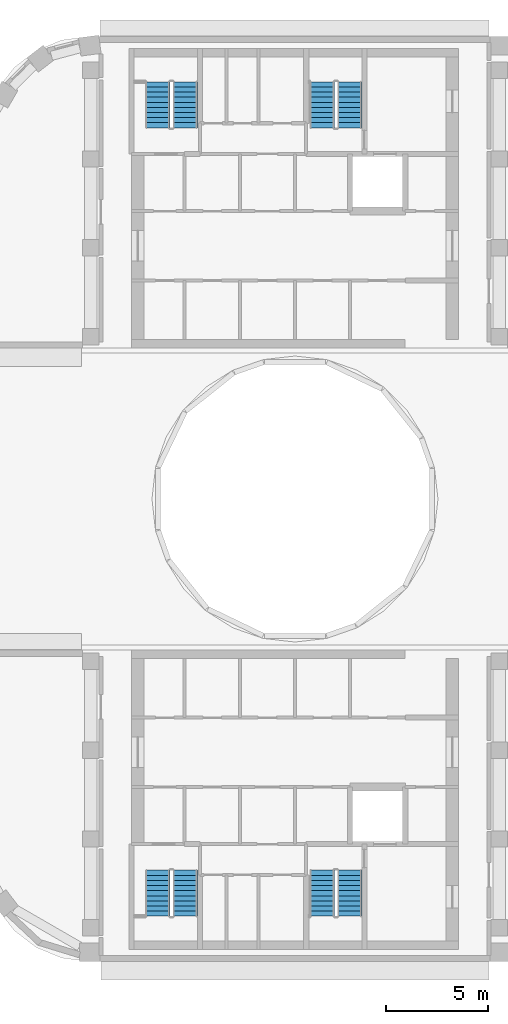
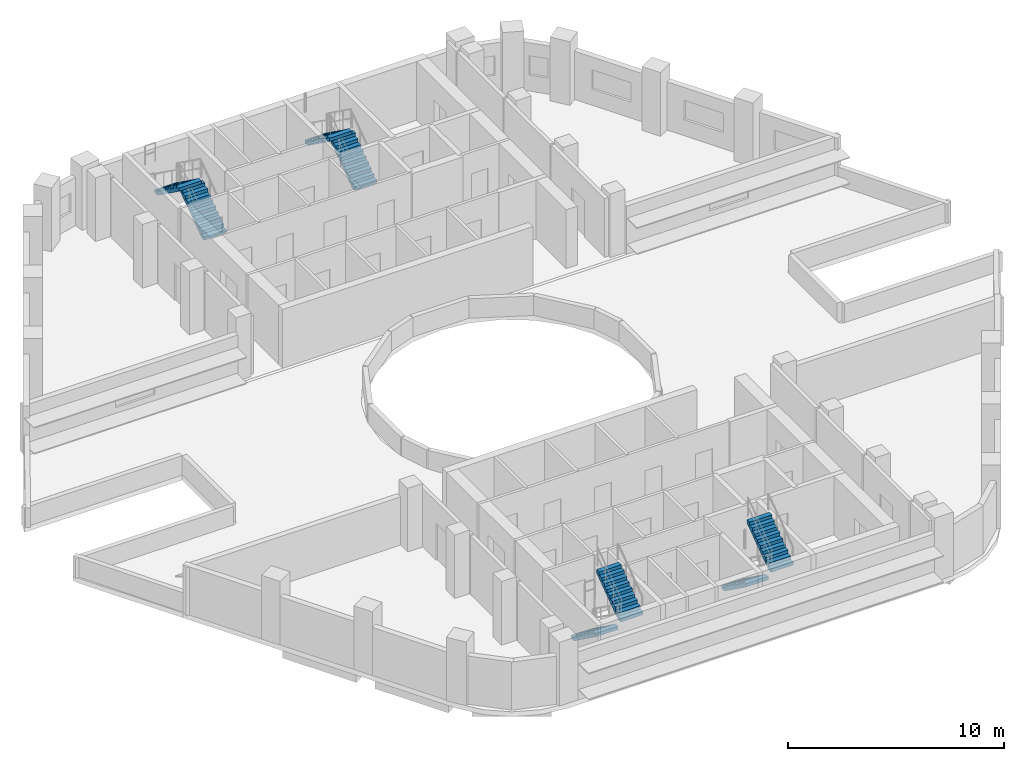
# One storey, part 6 of 9: 8 stair flights, 4 elements without a shape of their own.
"""IFC4 building model written with IfcOpenShell, lengths in metres."""

import ifcopenshell
import ifcopenshell.guid

model = None  # the IFC model being written
_history = None  # IfcOwnerHistory: only IFC2X3 demands one
_inside = {}  # id of a spatial element -> (the spatial element, [elements in it])
_under = {}  # id of a project, library or spatial element -> (it, [spatial elements below it])
_declared = {}  # id of a project -> (the project, [libraries it declares])
_typed = {}  # id of a type object -> (the type object, [elements of that type])
_made_of = {}  # id of a material, layer set ... -> (it, [elements and type objects made of it])


def new_model(schema):
    """Start an empty IFC model of exactly this schema.

    Asked for "IFC4X3", IfcOpenShell would pick the latest addendum, in which some entities
    have other attributes; the version numbers below select the first issue.
    IFC2X3 requires an IfcOwnerHistory on every rooted entity: one is made here for all.
    """
    global model, _history
    if schema == "IFC4X3":
        model = ifcopenshell.file(schema_version=(4, 3, 0, 0))
    else:
        model = ifcopenshell.file(schema=schema)
    _inside.clear()
    _under.clear()
    _declared.clear()
    _typed.clear()
    _made_of.clear()
    _history = None
    if model.schema == "IFC2X3":
        org = make("IfcOrganization", Name="unknown")
        user = make(
            "IfcPersonAndOrganization",
            ThePerson=make("IfcPerson", FamilyName="unknown"),
            TheOrganization=org,
        )
        app = make(
            "IfcApplication",
            ApplicationDeveloper=org,
            Version="unknown",
            ApplicationFullName="unknown",
            ApplicationIdentifier="unknown",
        )
        _history = make(
            "IfcOwnerHistory",
            OwningUser=user,
            OwningApplication=app,
            ChangeAction="ADDED",
            CreationDate=0,
        )
    return model


def make(cls, **values):
    """One entity of the class cls with the attributes given. An attribute that is None is left unset."""
    return model.create_entity(
        cls, **{name: value for name, value in values.items() if value is not None}
    )


def rooted(cls, **values):
    """An entity with a GlobalId (a new one), such as an element, a storey or a relation."""
    return make(cls, GlobalId=ifcopenshell.guid.new(), OwnerHistory=_history, **values)


def si_unit(unit_type, name, prefix=None):
    """IfcSIUnit, for example si_unit("LENGTHUNIT", "METRE", prefix="MILLI")."""
    return make("IfcSIUnit", UnitType=unit_type, Prefix=prefix, Name=name)


def assignment(units):
    """IfcUnitAssignment: the units of a project."""
    return None if units is None else make("IfcUnitAssignment", Units=units)


def point(xyz):
    """IfcCartesianPoint."""
    return None if xyz is None else make("IfcCartesianPoint", Coordinates=xyz)


def direction(xyz):
    """IfcDirection."""
    return None if xyz is None else make("IfcDirection", DirectionRatios=xyz)


def frame(location, z_axis=None, x_axis=None):
    """IfcAxis2Placement3D, a coordinate frame: its origin and axes. An axis left out is left unset."""
    return make(
        "IfcAxis2Placement3D",
        Location=point(location),
        Axis=direction(z_axis),
        RefDirection=direction(x_axis),
    )


def origin():
    """The frame at (0, 0, 0) with its axes left unset."""
    return frame((0.0, 0.0, 0.0))


def place(relative_to, where):
    """IfcLocalPlacement: puts the frame where relative to a parent placement (None: the world)."""
    return make(
        "IfcLocalPlacement", PlacementRelTo=relative_to, RelativePlacement=where
    )


def context(
    kind, dimensions, precision=None, world=None, true_north=None, identifier=None
):
    """IfcGeometricRepresentationContext, for example the 3D "Model" context."""
    return make(
        "IfcGeometricRepresentationContext",
        ContextIdentifier=identifier,
        ContextType=kind,
        CoordinateSpaceDimension=dimensions,
        Precision=precision,
        WorldCoordinateSystem=world,
        TrueNorth=true_north,
    )


def subcontext(parent, identifier, kind, view, scale=None):
    """IfcGeometricRepresentationSubContext, for example "Body" below "Model"."""
    return make(
        "IfcGeometricRepresentationSubContext",
        ContextIdentifier=identifier,
        ContextType=kind,
        ParentContext=parent,
        TargetScale=scale,
        TargetView=view,
    )


def project(units=None, contexts=None):
    """IfcProject with its units and contexts."""
    return rooted(
        "IfcProject",
        Name="project",
        RepresentationContexts=contexts,
        UnitsInContext=assignment(units),
    )


def spatial(cls, under=None, at=None, **own):
    """A site, building, storey or space (cls), placed at a placement, below another one or the project."""
    s = rooted(cls, ObjectPlacement=at, **own)
    if under is not None:
        _under.setdefault(under.id(), (under, []))[1].append(s)
    return s


def polyline(points):
    """IfcPolyline through the points."""
    return make("IfcPolyline", Points=[point(p) for p in points])


def outline(outer, holes=None, kind="AREA"):
    """IfcArbitraryClosedProfileDef: a profile drawn as a closed curve; with holes, ...WithVoids."""
    if holes is None:
        return make("IfcArbitraryClosedProfileDef", ProfileType=kind, OuterCurve=outer)
    return make(
        "IfcArbitraryProfileDefWithVoids",
        ProfileType=kind,
        OuterCurve=outer,
        InnerCurves=holes,
    )


def extrude(swept, where, along, depth):
    """IfcExtrudedAreaSolid: the profile swept, set in the frame where, extruded along a direction by depth."""
    return make(
        "IfcExtrudedAreaSolid",
        SweptArea=swept,
        Position=where,
        ExtrudedDirection=direction(along),
        Depth=depth,
    )


def shape(context_of_items, identifier, shape_type, items):
    """IfcShapeRepresentation: the items that make up one representation, for example the "Body"."""
    return make(
        "IfcShapeRepresentation",
        ContextOfItems=context_of_items,
        RepresentationIdentifier=identifier,
        RepresentationType=shape_type,
        Items=items,
    )


def material(Name=None, Category=None):
    """IfcMaterial."""
    return make("IfcMaterial", Name=Name, Category=Category)


def made_of(thing, what):
    """Note that an element or type object is made of a material, layer set ...; save() writes the relation."""
    if what is not None:
        _made_of.setdefault(what.id(), (what, []))[1].append(thing)
    return thing


def type_object(cls, material=None, **own):
    """A type object (cls), such as IfcWallType, which elements share."""
    return made_of(rooted(cls, **own), material)


def element(
    cls,
    number,
    at=None,
    inside=None,
    cuts=None,
    type_object=None,
    material=None,
    context=None,
    identifier="Body",
    shape_type=None,
    held_by="IfcProductDefinitionShape",
    body=None,
    shapes=None,
    **own,
):
    """One element of the class cls, such as IfcWall. Its Tag is "e" and its number.

    at: its placement. inside: the storey or other place that contains it. cuts: it is an
    opening in that element (IfcRelVoidsElement). A single representation is given by context,
    identifier, shape_type and body (its items); several are given by shapes. held_by: the class
    of the entity that holds the representations. save() writes the other relations.
    """
    e = rooted(cls, Tag="e%d" % number, ObjectPlacement=at, **own)
    if body is not None:
        shapes = [shape(context, identifier, shape_type, body)]
    if shapes is not None:
        e.Representation = make(held_by, Representations=shapes)
    if inside is not None:
        _inside.setdefault(inside.id(), (inside, []))[1].append(e)
    if cuts is not None:
        rooted(
            "IfcRelVoidsElement", RelatingBuildingElement=cuts, RelatedOpeningElement=e
        )
    if type_object is not None:
        _typed.setdefault(type_object.id(), (type_object, []))[1].append(e)
    return made_of(e, material)


def aggregate(whole, parts):
    """IfcRelAggregates: a whole, such as a stair, and the parts it consists of."""
    return rooted("IfcRelAggregates", RelatingObject=whole, RelatedObjects=parts)


def save(model, path):
    """Write the relations noted so far, then the file.

    IfcRelAggregates (storeys below a building ...), IfcRelContainedInSpatialStructure (elements
    in a storey), IfcRelDefinesByType, IfcRelAssociatesMaterial and IfcRelDeclares: one each for
    every whole, place, type object, material and project.
    """
    for whole, parts in _under.values():
        aggregate(whole, parts)
    for where, things in _inside.values():
        rooted(
            "IfcRelContainedInSpatialStructure",
            RelatedElements=things,
            RelatingStructure=where,
        )
    for kind, things in _typed.values():
        rooted("IfcRelDefinesByType", RelatedObjects=things, RelatingType=kind)
    for what, things in _made_of.values():
        rooted("IfcRelAssociatesMaterial", RelatedObjects=things, RelatingMaterial=what)
    for by, libraries in _declared.values():
        rooted("IfcRelDeclares", RelatingContext=by, RelatedDefinitions=libraries)
    model.write(path)


model = new_model("IFC4")

# Units and contexts
model_context = context("Model", 3, precision=1e-05, world=origin(), true_north=direction((0.0, 1.0)))
body_context = subcontext(model_context, "Body", "Model", "MODEL_VIEW")
ifc_project = project(units=[si_unit("LENGTHUNIT", "METRE"), si_unit("AREAUNIT", "SQUARE_METRE"), si_unit("VOLUMEUNIT", "CUBIC_METRE"), si_unit("PLANEANGLEUNIT", "RADIAN"), si_unit("MASSUNIT", "GRAM", prefix="KILO")], contexts=[model_context])

# Site, building, storey
site_placement = place(None, origin())
site = spatial("IfcSite", under=ifc_project, at=site_placement, CompositionType="ELEMENT")
building_placement = place(site_placement, origin())
building = spatial("IfcBuilding", under=site, at=building_placement, Name="Nakaniwa Court", CompositionType="ELEMENT")
storey_placement = place(building_placement, frame((0.0, 0.0, 276.0)))
storey = spatial("IfcBuildingStorey", under=building, at=storey_placement, Name="C02", CompositionType="ELEMENT", Elevation=276.0)

# Stair, stair flights
ifc_material = material(Name="Concrete C80/100", Category="concrete")
stair_type = type_object("IfcStairType", Name="Dog leg stair 1200 wide 20 risers", PredefinedType="HALF_TURN_STAIR", material=ifc_material)
stair_1_placement = place(storey_placement, origin())
stair_1 = element("IfcStair", 1, at=stair_1_placement, inside=storey, type_object=stair_type, Name="C02 Stair ST1", PredefinedType="HALF_TURN_STAIR")
stair_flight_type = type_object("IfcStairFlightType", Name="Stair flight 1200 wide 10 risers", PredefinedType="STRAIGHT", material=ifc_material)
stair_flight_1_placement = place(storey_placement, frame((74.625, 98.175048828125, 0.0), z_axis=(0.0, 0.0, 1.0), x_axis=(0.0, 1.0, 0.0)))
stair_flight_1 = element("IfcStairFlight", 2, at=stair_flight_1_placement, type_object=stair_flight_type, Name="ST1 flight 1", NumberOfRisers=10, NumberOfTreads=9, PredefinedType="STRAIGHT", RiserHeight=0.18, TreadLength=0.25, context=body_context, shape_type="SweptSolid", body=[
    extrude(outline(polyline([(0.0, 0.0), (0.0, 0.025634765625), (0.0, 0.051513671875), (0.0, 0.0771484375), (0.0, 0.102783203125), (0.0, 0.128662109375), (0.0, 0.154296875), (0.0, 0.179931640625), (0.25, 0.179931640625), (0.25, 0.360107421875), (0.5, 0.360107421875), (0.5, 0.5400390625), (0.75, 0.5400390625), (0.75, 0.719970703125), (1.0, 0.719970703125), (1.0, 0.89990234375), (1.25, 0.89990234375), (1.25, 1.080078125), (1.5, 1.080078125), (1.5, 1.260009765625), (1.75, 1.260009765625), (1.75, 1.43994140625), (2.0, 1.43994140625), (2.0, 1.6201171875), (2.25, 1.6201171875), (2.25, 1.800048828125), (2.25, 1.747802734375), (2.25, 1.69580078125), (2.25, 1.643798828125), (2.25, 1.591552734375), (2.25, 1.53955078125), (2.25, 1.4873046875), (2.25, 1.435302734375), (0.256591796875, 0.0), (0.0, 0.0)])), frame((0.0, 0.60009765625, 0.0), z_axis=(0.0, -1.0, 0.0), x_axis=(1.0, 0.0, 0.0)), (0.0, 0.0, 1.0), 1.199951171875),
])
stair_flight_2_placement = place(storey_placement, frame((73.27490234375, 100.425048828125, 1.800048828125), z_axis=(0.0, 0.0, 1.0), x_axis=(0.0, -1.0, 0.0)))
stair_flight_2 = element("IfcStairFlight", 3, at=stair_flight_2_placement, type_object=stair_flight_type, Name="ST1 flight 2", NumberOfRisers=10, NumberOfTreads=9, PredefinedType="STRAIGHT", RiserHeight=0.18, TreadLength=0.25, context=body_context, shape_type="SweptSolid", body=[
    extrude(outline(polyline([(0.0, 0.0), (0.0, 0.025634765625), (0.0, 0.051513671875), (0.0, 0.0771484375), (0.0, 0.102783203125), (0.0, 0.128662109375), (0.0, 0.154296875), (0.0, 0.179931640625), (0.25, 0.179931640625), (0.25, 0.360107421875), (0.5, 0.360107421875), (0.5, 0.5400390625), (0.75, 0.5400390625), (0.75, 0.719970703125), (1.0, 0.719970703125), (1.0, 0.89990234375), (1.25, 0.89990234375), (1.25, 1.080078125), (1.5, 1.080078125), (1.5, 1.260009765625), (1.75, 1.260009765625), (1.75, 1.43994140625), (2.0, 1.43994140625), (2.0, 1.6201171875), (2.25, 1.6201171875), (2.25, 1.800048828125), (2.25, 1.747802734375), (2.25, 1.69580078125), (2.25, 1.643798828125), (2.25, 1.591552734375), (2.25, 1.53955078125), (2.25, 1.4873046875), (2.25, 1.435302734375), (0.256591796875, 0.0), (0.0, 0.0)])), frame((0.0, 0.60009765625, 0.0), z_axis=(0.0, -1.0, 0.0), x_axis=(1.0, 0.0, 0.0)), (0.0, 0.0, 1.0), 1.199951171875),
])
aggregate(stair_1, [stair_flight_1, stair_flight_2])

stair_2_placement = place(storey_placement, origin())
stair_2 = element("IfcStair", 4, at=stair_2_placement, inside=storey, type_object=stair_type, Name="C02 Stair ST2", PredefinedType="HALF_TURN_STAIR")
stair_flight_3_placement = place(storey_placement, frame((82.675048828125, 98.175048828125, 0.0), z_axis=(0.0, 0.0, 1.0), x_axis=(0.0, 1.0, 0.0)))
stair_flight_3 = element("IfcStairFlight", 5, at=stair_flight_3_placement, type_object=stair_flight_type, Name="ST2 flight 1", NumberOfRisers=10, NumberOfTreads=9, PredefinedType="STRAIGHT", RiserHeight=0.18, TreadLength=0.25, context=body_context, shape_type="SweptSolid", body=[
    extrude(outline(polyline([(0.0, 0.0), (0.0, 0.025634765625), (0.0, 0.051513671875), (0.0, 0.0771484375), (0.0, 0.102783203125), (0.0, 0.128662109375), (0.0, 0.154296875), (0.0, 0.179931640625), (0.25, 0.179931640625), (0.25, 0.360107421875), (0.5, 0.360107421875), (0.5, 0.5400390625), (0.75, 0.5400390625), (0.75, 0.719970703125), (1.0, 0.719970703125), (1.0, 0.89990234375), (1.25, 0.89990234375), (1.25, 1.080078125), (1.5, 1.080078125), (1.5, 1.260009765625), (1.75, 1.260009765625), (1.75, 1.43994140625), (2.0, 1.43994140625), (2.0, 1.6201171875), (2.25, 1.6201171875), (2.25, 1.800048828125), (2.25, 1.747802734375), (2.25, 1.69580078125), (2.25, 1.643798828125), (2.25, 1.591552734375), (2.25, 1.53955078125), (2.25, 1.4873046875), (2.25, 1.435302734375), (0.256591796875, 0.0), (0.0, 0.0)])), frame((0.0, 0.60009765625, 0.0), z_axis=(0.0, -1.0, 0.0), x_axis=(1.0, 0.0, 0.0)), (0.0, 0.0, 1.0), 1.199951171875),
])
stair_flight_4_placement = place(storey_placement, frame((81.324951171875, 100.425048828125, 1.800048828125), z_axis=(0.0, 0.0, 1.0), x_axis=(0.0, -1.0, 0.0)))
stair_flight_4 = element("IfcStairFlight", 6, at=stair_flight_4_placement, type_object=stair_flight_type, Name="ST2 flight 2", NumberOfRisers=10, NumberOfTreads=9, PredefinedType="STRAIGHT", RiserHeight=0.18, TreadLength=0.25, context=body_context, shape_type="SweptSolid", body=[
    extrude(outline(polyline([(0.0, 0.0), (0.0, 0.025634765625), (0.0, 0.051513671875), (0.0, 0.0771484375), (0.0, 0.102783203125), (0.0, 0.128662109375), (0.0, 0.154296875), (0.0, 0.179931640625), (0.25, 0.179931640625), (0.25, 0.360107421875), (0.5, 0.360107421875), (0.5, 0.5400390625), (0.75, 0.5400390625), (0.75, 0.719970703125), (1.0, 0.719970703125), (1.0, 0.89990234375), (1.25, 0.89990234375), (1.25, 1.080078125), (1.5, 1.080078125), (1.5, 1.260009765625), (1.75, 1.260009765625), (1.75, 1.43994140625), (2.0, 1.43994140625), (2.0, 1.6201171875), (2.25, 1.6201171875), (2.25, 1.800048828125), (2.25, 1.747802734375), (2.25, 1.69580078125), (2.25, 1.643798828125), (2.25, 1.591552734375), (2.25, 1.53955078125), (2.25, 1.4873046875), (2.25, 1.435302734375), (0.256591796875, 0.0), (0.0, 0.0)])), frame((0.0, 0.60009765625, 0.0), z_axis=(0.0, -1.0, 0.0), x_axis=(1.0, 0.0, 0.0)), (0.0, 0.0, 1.0), 1.199951171875),
])
aggregate(stair_2, [stair_flight_3, stair_flight_4])

stair_3_placement = place(storey_placement, origin())
stair_3 = element("IfcStair", 7, at=stair_3_placement, inside=storey, type_object=stair_type, Name="C02 Stair ST3", PredefinedType="HALF_TURN_STAIR")
stair_flight_5_placement = place(storey_placement, frame((73.27490234375, 61.824951171875, 0.0), z_axis=(0.0, 0.0, 1.0), x_axis=(0.0, -1.0, 0.0)))
stair_flight_5 = element("IfcStairFlight", 8, at=stair_flight_5_placement, type_object=stair_flight_type, Name="ST3 flight 1", NumberOfRisers=10, NumberOfTreads=9, PredefinedType="STRAIGHT", RiserHeight=0.18, TreadLength=0.25, context=body_context, shape_type="SweptSolid", body=[
    extrude(outline(polyline([(0.0, 0.0), (0.0, 0.025634765625), (0.0, 0.051513671875), (0.0, 0.0771484375), (0.0, 0.102783203125), (0.0, 0.128662109375), (0.0, 0.154296875), (0.0, 0.179931640625), (0.25, 0.179931640625), (0.25, 0.360107421875), (0.5, 0.360107421875), (0.5, 0.5400390625), (0.75, 0.5400390625), (0.75, 0.719970703125), (1.0, 0.719970703125), (1.0, 0.89990234375), (1.25, 0.89990234375), (1.25, 1.080078125), (1.5, 1.080078125), (1.5, 1.260009765625), (1.75, 1.260009765625), (1.75, 1.43994140625), (2.0, 1.43994140625), (2.0, 1.6201171875), (2.25, 1.6201171875), (2.25, 1.800048828125), (2.25, 1.747802734375), (2.25, 1.69580078125), (2.25, 1.643798828125), (2.25, 1.591552734375), (2.25, 1.53955078125), (2.25, 1.4873046875), (2.25, 1.435302734375), (0.256591796875, 0.0), (0.0, 0.0)])), frame((0.0, 0.60009765625, 0.0), z_axis=(0.0, -1.0, 0.0), x_axis=(1.0, 0.0, 0.0)), (0.0, 0.0, 1.0), 1.199951171875),
])
stair_flight_6_placement = place(storey_placement, frame((74.625, 59.574951171875, 1.800048828125), z_axis=(0.0, 0.0, 1.0), x_axis=(0.0, 1.0, 0.0)))
stair_flight_6 = element("IfcStairFlight", 9, at=stair_flight_6_placement, type_object=stair_flight_type, Name="ST3 flight 2", NumberOfRisers=10, NumberOfTreads=9, PredefinedType="STRAIGHT", RiserHeight=0.18, TreadLength=0.25, context=body_context, shape_type="SweptSolid", body=[
    extrude(outline(polyline([(0.0, 0.0), (0.0, 0.025634765625), (0.0, 0.051513671875), (0.0, 0.0771484375), (0.0, 0.102783203125), (0.0, 0.128662109375), (0.0, 0.154296875), (0.0, 0.179931640625), (0.25, 0.179931640625), (0.25, 0.360107421875), (0.5, 0.360107421875), (0.5, 0.5400390625), (0.75, 0.5400390625), (0.75, 0.719970703125), (1.0, 0.719970703125), (1.0, 0.89990234375), (1.25, 0.89990234375), (1.25, 1.080078125), (1.5, 1.080078125), (1.5, 1.260009765625), (1.75, 1.260009765625), (1.75, 1.43994140625), (2.0, 1.43994140625), (2.0, 1.6201171875), (2.25, 1.6201171875), (2.25, 1.800048828125), (2.25, 1.747802734375), (2.25, 1.69580078125), (2.25, 1.643798828125), (2.25, 1.591552734375), (2.25, 1.53955078125), (2.25, 1.4873046875), (2.25, 1.435302734375), (0.256591796875, 0.0), (0.0, 0.0)])), frame((0.0, 0.60009765625, 0.0), z_axis=(0.0, -1.0, 0.0), x_axis=(1.0, 0.0, 0.0)), (0.0, 0.0, 1.0), 1.199951171875),
])
aggregate(stair_3, [stair_flight_5, stair_flight_6])

stair_4_placement = place(storey_placement, origin())
stair_4 = element("IfcStair", 10, at=stair_4_placement, inside=storey, type_object=stair_type, Name="C02 Stair ST4", PredefinedType="HALF_TURN_STAIR")
stair_flight_7_placement = place(storey_placement, frame((81.324951171875, 61.824951171875, 0.0), z_axis=(0.0, 0.0, 1.0), x_axis=(0.0, -1.0, 0.0)))
stair_flight_7 = element("IfcStairFlight", 11, at=stair_flight_7_placement, type_object=stair_flight_type, Name="ST4 flight 1", NumberOfRisers=10, NumberOfTreads=9, PredefinedType="STRAIGHT", RiserHeight=0.18, TreadLength=0.25, context=body_context, shape_type="SweptSolid", body=[
    extrude(outline(polyline([(0.0, 0.0), (0.0, 0.025634765625), (0.0, 0.051513671875), (0.0, 0.0771484375), (0.0, 0.102783203125), (0.0, 0.128662109375), (0.0, 0.154296875), (0.0, 0.179931640625), (0.25, 0.179931640625), (0.25, 0.360107421875), (0.5, 0.360107421875), (0.5, 0.5400390625), (0.75, 0.5400390625), (0.75, 0.719970703125), (1.0, 0.719970703125), (1.0, 0.89990234375), (1.25, 0.89990234375), (1.25, 1.080078125), (1.5, 1.080078125), (1.5, 1.260009765625), (1.75, 1.260009765625), (1.75, 1.43994140625), (2.0, 1.43994140625), (2.0, 1.6201171875), (2.25, 1.6201171875), (2.25, 1.800048828125), (2.25, 1.747802734375), (2.25, 1.69580078125), (2.25, 1.643798828125), (2.25, 1.591552734375), (2.25, 1.53955078125), (2.25, 1.4873046875), (2.25, 1.435302734375), (0.256591796875, 0.0), (0.0, 0.0)])), frame((0.0, 0.60009765625, 0.0), z_axis=(0.0, -1.0, 0.0), x_axis=(1.0, 0.0, 0.0)), (0.0, 0.0, 1.0), 1.199951171875),
])
stair_flight_8_placement = place(storey_placement, frame((82.675048828125, 59.574951171875, 1.800048828125), z_axis=(0.0, 0.0, 1.0), x_axis=(0.0, 1.0, 0.0)))
stair_flight_8 = element("IfcStairFlight", 12, at=stair_flight_8_placement, type_object=stair_flight_type, Name="ST4 flight 2", NumberOfRisers=10, NumberOfTreads=9, PredefinedType="STRAIGHT", RiserHeight=0.18, TreadLength=0.25, context=body_context, shape_type="SweptSolid", body=[
    extrude(outline(polyline([(0.0, 0.0), (0.0, 0.025634765625), (0.0, 0.051513671875), (0.0, 0.0771484375), (0.0, 0.102783203125), (0.0, 0.128662109375), (0.0, 0.154296875), (0.0, 0.179931640625), (0.25, 0.179931640625), (0.25, 0.360107421875), (0.5, 0.360107421875), (0.5, 0.5400390625), (0.75, 0.5400390625), (0.75, 0.719970703125), (1.0, 0.719970703125), (1.0, 0.89990234375), (1.25, 0.89990234375), (1.25, 1.080078125), (1.5, 1.080078125), (1.5, 1.260009765625), (1.75, 1.260009765625), (1.75, 1.43994140625), (2.0, 1.43994140625), (2.0, 1.6201171875), (2.25, 1.6201171875), (2.25, 1.800048828125), (2.25, 1.747802734375), (2.25, 1.69580078125), (2.25, 1.643798828125), (2.25, 1.591552734375), (2.25, 1.53955078125), (2.25, 1.4873046875), (2.25, 1.435302734375), (0.256591796875, 0.0), (0.0, 0.0)])), frame((0.0, 0.60009765625, 0.0), z_axis=(0.0, -1.0, 0.0), x_axis=(1.0, 0.0, 0.0)), (0.0, 0.0, 1.0), 1.199951171875),
])
aggregate(stair_4, [stair_flight_7, stair_flight_8])

save(model, "model.ifc")
